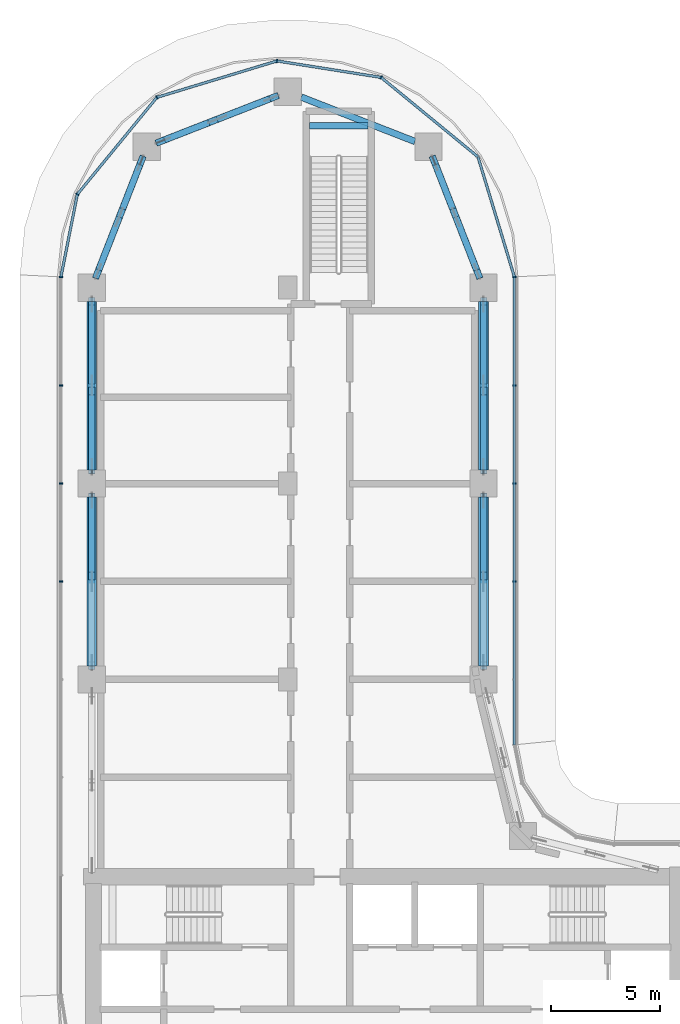
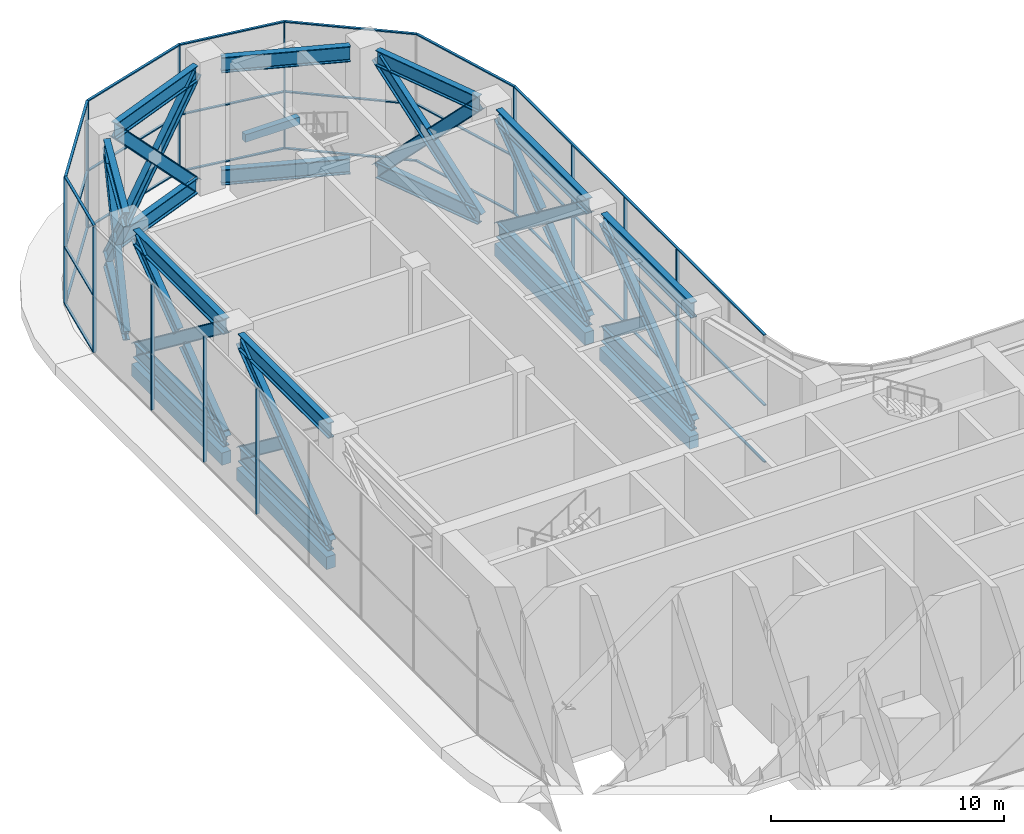
# One storey, part 10 of 35: 68 members, 5 beams, 3 elements without a shape of their own.
"""IFC4 building model written with IfcOpenShell, lengths in metres."""

import ifcopenshell
import ifcopenshell.guid

model = None  # the IFC model being written
_history = None  # IfcOwnerHistory: only IFC2X3 demands one
_inside = {}  # id of a spatial element -> (the spatial element, [elements in it])
_under = {}  # id of a project, library or spatial element -> (it, [spatial elements below it])
_declared = {}  # id of a project -> (the project, [libraries it declares])
_typed = {}  # id of a type object -> (the type object, [elements of that type])
_made_of = {}  # id of a material, layer set ... -> (it, [elements and type objects made of it])


def new_model(schema):
    """Start an empty IFC model of exactly this schema.

    Asked for "IFC4X3", IfcOpenShell would pick the latest addendum, in which some entities
    have other attributes; the version numbers below select the first issue.
    IFC2X3 requires an IfcOwnerHistory on every rooted entity: one is made here for all.
    """
    global model, _history
    if schema == "IFC4X3":
        model = ifcopenshell.file(schema_version=(4, 3, 0, 0))
    else:
        model = ifcopenshell.file(schema=schema)
    _inside.clear()
    _under.clear()
    _declared.clear()
    _typed.clear()
    _made_of.clear()
    _history = None
    if model.schema == "IFC2X3":
        org = make("IfcOrganization", Name="unknown")
        user = make(
            "IfcPersonAndOrganization",
            ThePerson=make("IfcPerson", FamilyName="unknown"),
            TheOrganization=org,
        )
        app = make(
            "IfcApplication",
            ApplicationDeveloper=org,
            Version="unknown",
            ApplicationFullName="unknown",
            ApplicationIdentifier="unknown",
        )
        _history = make(
            "IfcOwnerHistory",
            OwningUser=user,
            OwningApplication=app,
            ChangeAction="ADDED",
            CreationDate=0,
        )
    return model


def make(cls, **values):
    """One entity of the class cls with the attributes given. An attribute that is None is left unset."""
    return model.create_entity(
        cls, **{name: value for name, value in values.items() if value is not None}
    )


def rooted(cls, **values):
    """An entity with a GlobalId (a new one), such as an element, a storey or a relation."""
    return make(cls, GlobalId=ifcopenshell.guid.new(), OwnerHistory=_history, **values)


def si_unit(unit_type, name, prefix=None):
    """IfcSIUnit, for example si_unit("LENGTHUNIT", "METRE", prefix="MILLI")."""
    return make("IfcSIUnit", UnitType=unit_type, Prefix=prefix, Name=name)


def assignment(units):
    """IfcUnitAssignment: the units of a project."""
    return None if units is None else make("IfcUnitAssignment", Units=units)


def point(xyz):
    """IfcCartesianPoint."""
    return None if xyz is None else make("IfcCartesianPoint", Coordinates=xyz)


def direction(xyz):
    """IfcDirection."""
    return None if xyz is None else make("IfcDirection", DirectionRatios=xyz)


def frame(location, z_axis=None, x_axis=None):
    """IfcAxis2Placement3D, a coordinate frame: its origin and axes. An axis left out is left unset."""
    return make(
        "IfcAxis2Placement3D",
        Location=point(location),
        Axis=direction(z_axis),
        RefDirection=direction(x_axis),
    )


def frame_2d(location, x_axis=None):
    """IfcAxis2Placement2D, a coordinate frame in the plane: its origin and x axis."""
    return make(
        "IfcAxis2Placement2D", Location=point(location), RefDirection=direction(x_axis)
    )


def origin():
    """The frame at (0, 0, 0) with its axes left unset."""
    return frame((0.0, 0.0, 0.0))


def origin_2d():
    """The frame at (0, 0) in the plane with its x axis left unset."""
    return frame_2d((0.0, 0.0))


def place(relative_to, where):
    """IfcLocalPlacement: puts the frame where relative to a parent placement (None: the world)."""
    return make(
        "IfcLocalPlacement", PlacementRelTo=relative_to, RelativePlacement=where
    )


def context(
    kind, dimensions, precision=None, world=None, true_north=None, identifier=None
):
    """IfcGeometricRepresentationContext, for example the 3D "Model" context."""
    return make(
        "IfcGeometricRepresentationContext",
        ContextIdentifier=identifier,
        ContextType=kind,
        CoordinateSpaceDimension=dimensions,
        Precision=precision,
        WorldCoordinateSystem=world,
        TrueNorth=true_north,
    )


def subcontext(parent, identifier, kind, view, scale=None):
    """IfcGeometricRepresentationSubContext, for example "Body" below "Model"."""
    return make(
        "IfcGeometricRepresentationSubContext",
        ContextIdentifier=identifier,
        ContextType=kind,
        ParentContext=parent,
        TargetScale=scale,
        TargetView=view,
    )


def project(units=None, contexts=None):
    """IfcProject with its units and contexts."""
    return rooted(
        "IfcProject",
        Name="project",
        RepresentationContexts=contexts,
        UnitsInContext=assignment(units),
    )


def spatial(cls, under=None, at=None, **own):
    """A site, building, storey or space (cls), placed at a placement, below another one or the project."""
    s = rooted(cls, ObjectPlacement=at, **own)
    if under is not None:
        _under.setdefault(under.id(), (under, []))[1].append(s)
    return s


def profile(cls, at=None, kind="AREA", **sizes):
    """A parametric profile (cls). Its sizes go by their IFC names, for example OverallWidth=200.0."""
    return make(cls, ProfileType=kind, Position=at, **sizes)


def rectangle(**sizes):
    """IfcRectangleProfileDef."""
    return profile("IfcRectangleProfileDef", **sizes)


def i_section(**sizes):
    """IfcIShapeProfileDef."""
    return profile("IfcIShapeProfileDef", **sizes)


def extrude(swept, where, along, depth):
    """IfcExtrudedAreaSolid: the profile swept, set in the frame where, extruded along a direction by depth."""
    return make(
        "IfcExtrudedAreaSolid",
        SweptArea=swept,
        Position=where,
        ExtrudedDirection=direction(along),
        Depth=depth,
    )


def shape(context_of_items, identifier, shape_type, items):
    """IfcShapeRepresentation: the items that make up one representation, for example the "Body"."""
    return make(
        "IfcShapeRepresentation",
        ContextOfItems=context_of_items,
        RepresentationIdentifier=identifier,
        RepresentationType=shape_type,
        Items=items,
    )


def material(Name=None, Category=None):
    """IfcMaterial."""
    return make("IfcMaterial", Name=Name, Category=Category)


def material_profile(
    of_material, cross_section, Name=None, Category=None, Priority=None
):
    """IfcMaterialProfile: a cross section and its material."""
    return make(
        "IfcMaterialProfile",
        Name=Name,
        Material=of_material,
        Profile=cross_section,
        Priority=Priority,
        Category=Category,
    )


def profile_set(profiles, Name=None, composite=None):
    """IfcMaterialProfileSet."""
    return make(
        "IfcMaterialProfileSet",
        Name=Name,
        MaterialProfiles=profiles,
        CompositeProfile=composite,
    )


def made_of(thing, what):
    """Note that an element or type object is made of a material, layer set ...; save() writes the relation."""
    if what is not None:
        _made_of.setdefault(what.id(), (what, []))[1].append(thing)
    return thing


def type_object(cls, material=None, **own):
    """A type object (cls), such as IfcWallType, which elements share."""
    return made_of(rooted(cls, **own), material)


def element(
    cls,
    number,
    at=None,
    inside=None,
    cuts=None,
    type_object=None,
    material=None,
    context=None,
    identifier="Body",
    shape_type=None,
    held_by="IfcProductDefinitionShape",
    body=None,
    shapes=None,
    **own,
):
    """One element of the class cls, such as IfcWall. Its Tag is "e" and its number.

    at: its placement. inside: the storey or other place that contains it. cuts: it is an
    opening in that element (IfcRelVoidsElement). A single representation is given by context,
    identifier, shape_type and body (its items); several are given by shapes. held_by: the class
    of the entity that holds the representations. save() writes the other relations.
    """
    e = rooted(cls, Tag="e%d" % number, ObjectPlacement=at, **own)
    if body is not None:
        shapes = [shape(context, identifier, shape_type, body)]
    if shapes is not None:
        e.Representation = make(held_by, Representations=shapes)
    if inside is not None:
        _inside.setdefault(inside.id(), (inside, []))[1].append(e)
    if cuts is not None:
        rooted(
            "IfcRelVoidsElement", RelatingBuildingElement=cuts, RelatedOpeningElement=e
        )
    if type_object is not None:
        _typed.setdefault(type_object.id(), (type_object, []))[1].append(e)
    return made_of(e, material)


def aggregate(whole, parts):
    """IfcRelAggregates: a whole, such as a stair, and the parts it consists of."""
    return rooted("IfcRelAggregates", RelatingObject=whole, RelatedObjects=parts)


def save(model, path):
    """Write the relations noted so far, then the file.

    IfcRelAggregates (storeys below a building ...), IfcRelContainedInSpatialStructure (elements
    in a storey), IfcRelDefinesByType, IfcRelAssociatesMaterial and IfcRelDeclares: one each for
    every whole, place, type object, material and project.
    """
    for whole, parts in _under.values():
        aggregate(whole, parts)
    for where, things in _inside.values():
        rooted(
            "IfcRelContainedInSpatialStructure",
            RelatedElements=things,
            RelatingStructure=where,
        )
    for kind, things in _typed.values():
        rooted("IfcRelDefinesByType", RelatedObjects=things, RelatingType=kind)
    for what, things in _made_of.values():
        rooted("IfcRelAssociatesMaterial", RelatedObjects=things, RelatingMaterial=what)
    for by, libraries in _declared.values():
        rooted("IfcRelDeclares", RelatingContext=by, RelatedDefinitions=libraries)
    model.write(path)


model = new_model("IFC4")

# Units and contexts
model_context = context("Model", 3, precision=1e-05, world=origin(), true_north=direction((0.0, 1.0)))
body_context = subcontext(model_context, "Body", "Model", "MODEL_VIEW")
ifc_project = project(units=[si_unit("LENGTHUNIT", "METRE"), si_unit("AREAUNIT", "SQUARE_METRE"), si_unit("VOLUMEUNIT", "CUBIC_METRE"), si_unit("PLANEANGLEUNIT", "RADIAN"), si_unit("MASSUNIT", "GRAM", prefix="KILO")], contexts=[model_context])

# Site, building, storey
site_placement = place(None, origin())
site = spatial("IfcSite", under=ifc_project, at=site_placement, CompositionType="ELEMENT")
building_placement = place(site_placement, origin())
building = spatial("IfcBuilding", under=site, at=building_placement, Name="Ogive Portal Towers", CompositionType="ELEMENT")
storey_placement = place(building_placement, frame((0.0, 0.0, 135.199951171875)))
storey = spatial("IfcBuildingStorey", under=building, at=storey_placement, Name="L33", CompositionType="ELEMENT", Elevation=135.199951171875)

# Beam
ifc_material_1 = material(Name="Concrete C40/50", Category="concrete")
ifc_material_profile_1 = material_profile(ifc_material_1, rectangle(XDim=0.300048828125, YDim=0.39990234375, at=origin_2d()), Name="RC 300x400")
ifc_profile_set_1 = profile_set([ifc_material_profile_1], Name="Concrete C40/50")
beam_type_1 = type_object("IfcBeamType", Name="BEAM RC 300x400", PredefinedType="BEAM", material=ifc_profile_set_1)
beam_placement = place(storey_placement, frame((41.5, 73.949951171875, 3.10009765625), z_axis=(1.0, 0.0, 0.0), x_axis=(0.0, 1.0, 0.0)))
element("IfcBeam", 1, at=beam_placement, inside=storey, type_object=beam_type_1, Name="Landing beam L33", PredefinedType="BEAM", context=body_context, shape_type="SweptSolid", body=[
    extrude(rectangle(XDim=0.300048828125, YDim=0.39990234375, at=origin_2d()), origin(), (0.0, 0.0, 1.0), 2.699951171875),
])

# Members
ifc_material_2 = material(Name="Steel S355", Category="steel")
ifc_material_profile_2 = material_profile(ifc_material_2, i_section(OverallWidth=0.300048828125, OverallDepth=0.60009765625, WebThickness=0.015380859375, FlangeThickness=0.030029296875, FilletRadius=0.027099609375, at=origin_2d()), Name="HEB 600")
ifc_profile_set_2 = profile_set([ifc_material_profile_2], Name="Steel S355")
member_type_1 = type_object("IfcMemberType", Name="BRACE HEB 600", PredefinedType="BRACE", material=ifc_profile_set_2)
member_1_placement = place(storey_placement, frame((49.5, 49.125, 0.406982421875), z_axis=(0.0, 0.796360836966, 0.604821806276), x_axis=(-1.0, 0.0, 0.0)))
element("IfcMember", 2, at=member_1_placement, inside=storey, type_object=member_type_1, Name="Belt truss diagonal", PredefinedType="BRACE", context=body_context, shape_type="SweptSolid", body=[
    extrude(i_section(OverallWidth=0.300048828125, OverallDepth=0.60009765625, WebThickness=0.015380859375, FlangeThickness=0.030029296875, FilletRadius=0.027099609375, at=origin_2d()), origin(), (0.0, 0.0, 1.0), 9.731689453125),
])
member_2_placement = place(storey_placement, frame((49.5, 53.248046875, 3.16162109375), z_axis=(0.0, 0.796357381808, -0.60482635561), x_axis=(-1.0, 0.0, 0.0)))
element("IfcMember", 3, at=member_2_placement, inside=storey, type_object=member_type_1, Name="Belt truss diagonal", PredefinedType="BRACE", context=body_context, shape_type="SweptSolid", body=[
    extrude(i_section(OverallWidth=0.300048828125, OverallDepth=0.60009765625, WebThickness=0.015380859375, FlangeThickness=0.030029296875, FilletRadius=0.027099609375, at=origin_2d()), origin(), (0.0, 0.0, 1.0), 4.554443359375),
])
member_3_placement = place(storey_placement, frame((49.5, 58.125, 6.29296875), z_axis=(0.0, 0.796360836966, -0.604821806276), x_axis=(-1.0, 0.0, 0.0)))
element("IfcMember", 4, at=member_3_placement, inside=storey, type_object=member_type_1, Name="Belt truss diagonal", PredefinedType="BRACE", context=body_context, shape_type="SweptSolid", body=[
    extrude(i_section(OverallWidth=0.300048828125, OverallDepth=0.60009765625, WebThickness=0.015380859375, FlangeThickness=0.030029296875, FilletRadius=0.027099609375, at=origin_2d()), origin(), (0.0, 0.0, 1.0), 9.731689453125),
])
for number, where, z_axis, x_axis, name in (
    (5, (49.5, 58.125, 0.406982421875), (0.0, 0.796357381808, 0.60482635561), (-1.0, 0.0, 0.0), "Belt truss diagonal"),
    (6, (49.5, 62.248046875, 3.538330078125), (0.0, 0.796357381808, 0.60482635561), (-1.0, 0.0, 0.0), "Belt truss diagonal"),
):
    element("IfcMember", number, at=place(storey_placement, frame(where, z_axis=z_axis, x_axis=x_axis)), inside=storey, type_object=member_type_1, Name=name, PredefinedType="BRACE", context=body_context, shape_type="SweptSolid", body=[
        extrude(i_section(OverallWidth=0.300048828125, OverallDepth=0.60009765625, WebThickness=0.015380859375, FlangeThickness=0.030029296875, FilletRadius=0.027099609375, at=origin_2d()), origin(), (0.0, 0.0, 1.0), 4.554443359375),
    ])
member_4_placement = place(storey_placement, frame((49.256103515625, 67.125, 0.406982421875), z_axis=(-0.250836799301, 0.642498999934, 0.724069012733), x_axis=(-0.931525816436, -0.363675203051, 0.0)))
element("IfcMember", 7, at=member_4_placement, inside=storey, type_object=member_type_1, Name="Belt truss diagonal", PredefinedType="BRACE", context=body_context, shape_type="SweptSolid", body=[
    extrude(i_section(OverallWidth=0.300048828125, OverallDepth=0.60009765625, WebThickness=0.015380859375, FlangeThickness=0.030029296875, FilletRadius=0.027099609375, at=origin_2d()), origin(), (0.0, 0.0, 1.0), 8.129150390625),
])
for number, where, z_axis, x_axis, name in (
    (8, (49.256103515625, 67.125, 6.29296875), (-0.250881876962, 0.642511859665, -0.72404198359), (-0.931506141064, -0.363725595966, 0.0), "Belt truss diagonal"),
    (9, (48.1611328125, 69.929443359375, 3.132568359375), (-0.250809317914, 0.642492139451, -0.72408461991), (-0.931537998669, -0.363643997663, 0.0), "Belt truss diagonal"),
):
    element("IfcMember", number, at=place(storey_placement, frame(where, z_axis=z_axis, x_axis=x_axis)), inside=storey, type_object=member_type_1, Name=name, PredefinedType="BRACE", context=body_context, shape_type="SweptSolid", body=[
        extrude(i_section(OverallWidth=0.300048828125, OverallDepth=0.60009765625, WebThickness=0.015380859375, FlangeThickness=0.030029296875, FilletRadius=0.027099609375, at=origin_2d()), origin(), (0.0, 0.0, 1.0), 3.76416015625),
    ])
member_5_placement = place(storey_placement, frame((39.875, 75.256103515625, 0.406982421875), z_axis=(-0.642498999934, -0.250836799301, 0.724069012733), x_axis=(0.363675203051, -0.931525816436, 0.0)))
element("IfcMember", 10, at=member_5_placement, inside=storey, type_object=member_type_1, Name="Belt truss diagonal", PredefinedType="BRACE", context=body_context, shape_type="SweptSolid", body=[
    extrude(i_section(OverallWidth=0.300048828125, OverallDepth=0.60009765625, WebThickness=0.015380859375, FlangeThickness=0.030029296875, FilletRadius=0.027099609375, at=origin_2d()), origin(), (0.0, 0.0, 1.0), 8.129150390625),
])
for number, where, z_axis, x_axis, name in (
    (11, (39.875, 75.256103515625, 6.29296875), (-0.642511859665, -0.250881876962, -0.72404198359), (0.363725595966, -0.931506141064, 0.0), "Belt truss diagonal"),
    (12, (37.070556640625, 74.1611328125, 3.132568359375), (-0.642492139451, -0.250809317914, -0.72408461991), (0.363643997663, -0.931537998669, 0.0), "Belt truss diagonal"),
):
    element("IfcMember", number, at=place(storey_placement, frame(where, z_axis=z_axis, x_axis=x_axis)), inside=storey, type_object=member_type_1, Name=name, PredefinedType="BRACE", context=body_context, shape_type="SweptSolid", body=[
        extrude(i_section(OverallWidth=0.300048828125, OverallDepth=0.60009765625, WebThickness=0.015380859375, FlangeThickness=0.030029296875, FilletRadius=0.027099609375, at=origin_2d()), origin(), (0.0, 0.0, 1.0), 3.76416015625),
    ])
member_6_placement = place(storey_placement, frame((33.782958984375, 72.347900390625, 6.29296875), z_axis=(-0.250836799301, -0.642498999934, -0.724069012733), x_axis=(0.931525816436, -0.363675203051, 0.0)))
element("IfcMember", 13, at=member_6_placement, inside=storey, type_object=member_type_1, Name="Belt truss diagonal", PredefinedType="BRACE", context=body_context, shape_type="SweptSolid", body=[
    extrude(i_section(OverallWidth=0.300048828125, OverallDepth=0.60009765625, WebThickness=0.015380859375, FlangeThickness=0.030029296875, FilletRadius=0.027099609375, at=origin_2d()), origin(), (0.0, 0.0, 1.0), 8.129150390625),
])
for number, where, z_axis, x_axis, name in (
    (14, (33.782958984375, 72.347900390625, 0.406982421875), (-0.250809317914, -0.642492139451, 0.72408461991), (0.931537998669, -0.363643997663, 0.0), "Belt truss diagonal"),
    (15, (32.688232421875, 69.54345703125, 3.567626953125), (-0.250881876962, -0.642511859665, 0.72404198359), (0.931506141064, -0.363725595966, 0.0), "Belt truss diagonal"),
):
    element("IfcMember", number, at=place(storey_placement, frame(where, z_axis=z_axis, x_axis=x_axis)), inside=storey, type_object=member_type_1, Name=name, PredefinedType="BRACE", context=body_context, shape_type="SweptSolid", body=[
        extrude(i_section(OverallWidth=0.300048828125, OverallDepth=0.60009765625, WebThickness=0.015380859375, FlangeThickness=0.030029296875, FilletRadius=0.027099609375, at=origin_2d()), origin(), (0.0, 0.0, 1.0), 3.76416015625),
    ])
member_7_placement = place(storey_placement, frame((31.5, 65.875, 0.406982421875), z_axis=(0.0, -0.796360836966, 0.604821806276), x_axis=(1.0, 0.0, 0.0)))
element("IfcMember", 16, at=member_7_placement, inside=storey, type_object=member_type_1, Name="Belt truss diagonal", PredefinedType="BRACE", context=body_context, shape_type="SweptSolid", body=[
    extrude(i_section(OverallWidth=0.300048828125, OverallDepth=0.60009765625, WebThickness=0.015380859375, FlangeThickness=0.030029296875, FilletRadius=0.027099609375, at=origin_2d()), origin(), (0.0, 0.0, 1.0), 9.731689453125),
])
for number, where, z_axis, x_axis, name in (
    (17, (31.5, 65.875, 6.29296875), (0.0, -0.796357381808, -0.60482635561), (1.0, 0.0, 0.0), "Belt truss diagonal"),
    (18, (31.5, 61.751953125, 3.16162109375), (0.0, -0.796357381808, -0.60482635561), (1.0, 0.0, 0.0), "Belt truss diagonal"),
):
    element("IfcMember", number, at=place(storey_placement, frame(where, z_axis=z_axis, x_axis=x_axis)), inside=storey, type_object=member_type_1, Name=name, PredefinedType="BRACE", context=body_context, shape_type="SweptSolid", body=[
        extrude(i_section(OverallWidth=0.300048828125, OverallDepth=0.60009765625, WebThickness=0.015380859375, FlangeThickness=0.030029296875, FilletRadius=0.027099609375, at=origin_2d()), origin(), (0.0, 0.0, 1.0), 4.554443359375),
    ])
member_8_placement = place(storey_placement, frame((31.5, 56.875, 6.29296875), z_axis=(0.0, -0.796360836966, -0.604821806276), x_axis=(1.0, 0.0, 0.0)))
element("IfcMember", 19, at=member_8_placement, inside=storey, type_object=member_type_1, Name="Belt truss diagonal", PredefinedType="BRACE", context=body_context, shape_type="SweptSolid", body=[
    extrude(i_section(OverallWidth=0.300048828125, OverallDepth=0.60009765625, WebThickness=0.015380859375, FlangeThickness=0.030029296875, FilletRadius=0.027099609375, at=origin_2d()), origin(), (0.0, 0.0, 1.0), 9.731689453125),
])
member_9_placement = place(storey_placement, frame((31.5, 56.875, 0.406982421875), z_axis=(0.0, -0.796357381808, 0.60482635561), x_axis=(1.0, 0.0, 0.0)))
element("IfcMember", 20, at=member_9_placement, inside=storey, type_object=member_type_1, Name="Belt truss diagonal", PredefinedType="BRACE", context=body_context, shape_type="SweptSolid", body=[
    extrude(i_section(OverallWidth=0.300048828125, OverallDepth=0.60009765625, WebThickness=0.015380859375, FlangeThickness=0.030029296875, FilletRadius=0.027099609375, at=origin_2d()), origin(), (0.0, 0.0, 1.0), 4.554443359375),
])
ifc_material_profile_3 = material_profile(ifc_material_2, i_section(OverallWidth=0.302978515625, OverallDepth=0.81396484375, WebThickness=0.02099609375, FlangeThickness=0.0400390625, FilletRadius=0.030029296875, at=origin_2d()), Name="HEM 800")
ifc_profile_set_3 = profile_set([ifc_material_profile_3], Name="Steel S355")
member_type_2 = type_object("IfcMemberType", Name="CHORD HEM 800", PredefinedType="CHORD", material=ifc_profile_set_3)
for number, where, z_axis, x_axis, name in (
    (21, (49.5, 49.125, 0.406982421875), (0.0, 1.0, 0.0), (-1.0, 0.0, 0.0), "Belt truss bottom chord"),
    (22, (49.5, 49.125, 6.29296875), (0.0, 1.0, 0.0), (-1.0, 0.0, 0.0), "Belt truss top chord"),
    (23, (49.5, 58.125, 0.406982421875), (0.0, 1.0, 0.0), (-1.0, 0.0, 0.0), "Belt truss bottom chord"),
    (24, (49.5, 58.125, 6.29296875), (0.0, 1.0, 0.0), (-1.0, 0.0, 0.0), "Belt truss top chord"),
):
    element("IfcMember", number, at=place(storey_placement, frame(where, z_axis=z_axis, x_axis=x_axis)), inside=storey, type_object=member_type_2, Name=name, PredefinedType="CHORD", context=body_context, shape_type="SweptSolid", body=[
        extrude(i_section(OverallWidth=0.302978515625, OverallDepth=0.81396484375, WebThickness=0.02099609375, FlangeThickness=0.0400390625, FilletRadius=0.030029296875, at=origin_2d()), origin(), (0.0, 0.0, 1.0), 7.75),
    ])
for number, where, z_axis, x_axis, name in (
    (25, (49.256103515625, 67.125, 0.406982421875), (-0.363675203051, 0.931525816436, 0.0), (-0.931525816436, -0.363675203051, 0.0), "Belt truss bottom chord"),
    (26, (49.256103515625, 67.125, 6.29296875), (-0.363675203051, 0.931525816436, 0.0), (-0.931525816436, -0.363675203051, 0.0), "Belt truss top chord"),
    (27, (46.347900390625, 73.217041015625, 0.406982421875), (-0.931525816436, 0.363675203051, 0.0), (-0.363675203051, -0.931525816436, 0.0), "Belt truss bottom chord"),
    (28, (46.347900390625, 73.217041015625, 6.29296875), (-0.931525816436, 0.363675203051, 0.0), (-0.363675203051, -0.931525816436, 0.0), "Belt truss top chord"),
    (29, (39.875, 75.256103515625, 0.406982421875), (-0.931525816436, -0.363675203051, 0.0), (0.363675203051, -0.931525816436, 0.0), "Belt truss bottom chord"),
    (30, (39.875, 75.256103515625, 6.29296875), (-0.931525816436, -0.363675203051, 0.0), (0.363675203051, -0.931525816436, 0.0), "Belt truss top chord"),
    (31, (33.782958984375, 72.347900390625, 0.406982421875), (-0.363675203051, -0.931525816436, 0.0), (0.931525816436, -0.363675203051, 0.0), "Belt truss bottom chord"),
    (32, (33.782958984375, 72.347900390625, 6.29296875), (-0.363675203051, -0.931525816436, 0.0), (0.931525816436, -0.363675203051, 0.0), "Belt truss top chord"),
):
    element("IfcMember", number, at=place(storey_placement, frame(where, z_axis=z_axis, x_axis=x_axis)), inside=storey, type_object=member_type_2, Name=name, PredefinedType="CHORD", context=body_context, shape_type="SweptSolid", body=[
        extrude(i_section(OverallWidth=0.302978515625, OverallDepth=0.81396484375, WebThickness=0.02099609375, FlangeThickness=0.0400390625, FilletRadius=0.030029296875, at=origin_2d()), origin(), (0.0, 0.0, 1.0), 5.60693359375),
    ])
for number, where, z_axis, x_axis, name in (
    (33, (31.5, 65.875, 0.406982421875), (0.0, -1.0, 0.0), (1.0, 0.0, 0.0), "Belt truss bottom chord"),
    (34, (31.5, 65.875, 6.29296875), (0.0, -1.0, 0.0), (1.0, 0.0, 0.0), "Belt truss top chord"),
    (35, (31.5, 56.875, 0.406982421875), (0.0, -1.0, 0.0), (1.0, 0.0, 0.0), "Belt truss bottom chord"),
    (36, (31.5, 56.875, 6.29296875), (0.0, -1.0, 0.0), (1.0, 0.0, 0.0), "Belt truss top chord"),
):
    element("IfcMember", number, at=place(storey_placement, frame(where, z_axis=z_axis, x_axis=x_axis)), inside=storey, type_object=member_type_2, Name=name, PredefinedType="CHORD", context=body_context, shape_type="SweptSolid", body=[
        extrude(i_section(OverallWidth=0.302978515625, OverallDepth=0.81396484375, WebThickness=0.02099609375, FlangeThickness=0.0400390625, FilletRadius=0.030029296875, at=origin_2d()), origin(), (0.0, 0.0, 1.0), 7.75),
    ])

# Curtain wall, members
ifc_material_3 = material(Name="Glass, clear low-iron insulated glazing", Category="glass")
curtain_wall_type = type_object("IfcCurtainWallType", Name="CW OBSERVATION WALL", PredefinedType="NOTDEFINED", material=ifc_material_3)
curtain_wall_1_placement = place(storey_placement, origin())
curtain_wall_1 = element("IfcCurtainWall", 37, at=curtain_wall_1_placement, inside=storey, type_object=curtain_wall_type, Name="A:L33:f17:cw0", PredefinedType="NOTDEFINED")
ifc_material_4 = material(Name="Aluminium 6063 anodised", Category="aluminium")
ifc_material_profile_4 = material_profile(ifc_material_4, rectangle(XDim=0.159912109375, YDim=0.06005859375, at=origin_2d()), Name="AL 60x160")
ifc_profile_set_4 = profile_set([ifc_material_profile_4], Name="Aluminium 6063 anodised")
member_type_3 = type_object("IfcMemberType", Name="CW MULLION 60x160", PredefinedType="MULLION", material=ifc_profile_set_4)
member_10_placement = place(storey_placement, frame((50.919921875, 53.0, 0.06005859375), z_axis=(0.0, 0.0, 1.0), x_axis=(-1.0, 0.0, 0.0)))
member_10 = element("IfcMember", 38, at=member_10_placement, type_object=member_type_3, Name="mullion", PredefinedType="MULLION", context=body_context, shape_type="SweptSolid", body=[
    extrude(rectangle(XDim=0.159912109375, YDim=0.06005859375, at=origin_2d()), origin(), (0.0, 0.0, 1.0), 6.580078125),
])
member_11_placement = place(storey_placement, frame((50.919921875, 57.5, 0.06005859375), z_axis=(0.0, 0.0, 1.0), x_axis=(-1.0, 0.0, 0.0)))
member_11 = element("IfcMember", 39, at=member_11_placement, type_object=member_type_3, Name="mullion", PredefinedType="MULLION", context=body_context, shape_type="SweptSolid", body=[
    extrude(rectangle(XDim=0.159912109375, YDim=0.06005859375, at=origin_2d()), origin(), (0.0, 0.0, 1.0), 6.580078125),
])
member_12_placement = place(storey_placement, frame((50.919921875, 62.0, 0.06005859375), z_axis=(0.0, 0.0, 1.0), x_axis=(-1.0, 0.0, 0.0)))
member_12 = element("IfcMember", 40, at=member_12_placement, type_object=member_type_3, Name="mullion", PredefinedType="MULLION", context=body_context, shape_type="SweptSolid", body=[
    extrude(rectangle(XDim=0.159912109375, YDim=0.06005859375, at=origin_2d()), origin(), (0.0, 0.0, 1.0), 6.580078125),
])
member_13_placement = place(storey_placement, frame((50.919921875, 66.988037109375, 0.06005859375), z_axis=(0.0, 0.0, 1.0), x_axis=(-1.0, 0.0, 0.0)))
member_13 = element("IfcMember", 41, at=member_13_placement, type_object=member_type_3, Name="mullion", PredefinedType="MULLION", context=body_context, shape_type="SweptSolid", body=[
    extrude(rectangle(XDim=0.159912109375, YDim=0.06005859375, at=origin_2d()), origin(), (0.0, 0.0, 1.0), 6.580078125),
])

curtain_wall_2_placement = place(storey_placement, origin())
curtain_wall_2 = element("IfcCurtainWall", 42, at=curtain_wall_2_placement, inside=storey, type_object=curtain_wall_type, Name="A:L33:f24:cw0", PredefinedType="NOTDEFINED")
member_14_placement = place(storey_placement, frame((30.080078125, 66.9921875, 0.06005859375), z_axis=(0.0, 0.0, 1.0), x_axis=(1.0, 0.0, 0.0)))
member_14 = element("IfcMember", 43, at=member_14_placement, type_object=member_type_3, Name="mullion", PredefinedType="MULLION", context=body_context, shape_type="SweptSolid", body=[
    extrude(rectangle(XDim=0.159912109375, YDim=0.06005859375, at=origin_2d()), origin(), (0.0, 0.0, 1.0), 6.580078125),
])
member_15_placement = place(storey_placement, frame((30.080078125, 62.0, 0.06005859375), z_axis=(0.0, 0.0, 1.0), x_axis=(1.0, 0.0, 0.0)))
member_15 = element("IfcMember", 44, at=member_15_placement, type_object=member_type_3, Name="mullion", PredefinedType="MULLION", context=body_context, shape_type="SweptSolid", body=[
    extrude(rectangle(XDim=0.159912109375, YDim=0.06005859375, at=origin_2d()), origin(), (0.0, 0.0, 1.0), 6.580078125),
])
member_16_placement = place(storey_placement, frame((30.080078125, 57.5, 0.06005859375), z_axis=(0.0, 0.0, 1.0), x_axis=(1.0, 0.0, 0.0)))
member_16 = element("IfcMember", 45, at=member_16_placement, type_object=member_type_3, Name="mullion", PredefinedType="MULLION", context=body_context, shape_type="SweptSolid", body=[
    extrude(rectangle(XDim=0.159912109375, YDim=0.06005859375, at=origin_2d()), origin(), (0.0, 0.0, 1.0), 6.580078125),
])
member_17_placement = place(storey_placement, frame((30.080078125, 53.0, 0.06005859375), z_axis=(0.0, 0.0, 1.0), x_axis=(1.0, 0.0, 0.0)))
member_17 = element("IfcMember", 46, at=member_17_placement, type_object=member_type_3, Name="mullion", PredefinedType="MULLION", context=body_context, shape_type="SweptSolid", body=[
    extrude(rectangle(XDim=0.159912109375, YDim=0.06005859375, at=origin_2d()), origin(), (0.0, 0.0, 1.0), 6.580078125),
])
aggregate(curtain_wall_2, [member_14, member_15, member_16, member_17])

curtain_wall_3_placement = place(storey_placement, origin())
curtain_wall_3 = element("IfcCurtainWall", 47, at=curtain_wall_3_placement, inside=storey, type_object=curtain_wall_type, Name="A:L33:f18:cwa", PredefinedType="NOTDEFINED")
member_18_placement = place(storey_placement, frame((44.79296875, 76.1630859375, 0.06005859375), z_axis=(0.0, 0.0, 1.0), x_axis=(-0.634393284164, -0.773010453363, 0.0)))
member_18 = element("IfcMember", 48, at=member_18_placement, type_object=member_type_3, Name="mullion", PredefinedType="MULLION", context=body_context, shape_type="SweptSolid", body=[
    extrude(rectangle(XDim=0.159912109375, YDim=0.06005859375, at=origin_2d()), origin(), (0.0, 0.0, 1.0), 6.580078125),
])
member_19_placement = place(storey_placement, frame((40.005615234375, 76.918212890625, 0.06005859375), z_axis=(0.0, 0.0, 1.0), x_axis=(-0.155777466355, -0.987792174992, 0.0)))
member_19 = element("IfcMember", 49, at=member_19_placement, type_object=member_type_3, Name="mullion", PredefinedType="MULLION", context=body_context, shape_type="SweptSolid", body=[
    extrude(rectangle(XDim=0.159912109375, YDim=0.06005859375, at=origin_2d()), origin(), (0.0, 0.0, 1.0), 6.580078125),
])
member_20_placement = place(storey_placement, frame((34.49072265625, 75.2451171875, 0.06005859375), z_axis=(0.0, 0.0, 1.0), x_axis=(0.290284677254, -0.956940335732, 0.0)))
member_20 = element("IfcMember", 50, at=member_20_placement, type_object=member_type_3, Name="mullion", PredefinedType="MULLION", context=body_context, shape_type="SweptSolid", body=[
    extrude(rectangle(XDim=0.159912109375, YDim=0.06005859375, at=origin_2d()), origin(), (0.0, 0.0, 1.0), 6.580078125),
])
member_21_placement = place(storey_placement, frame((30.835693359375, 70.79150390625, 0.06005859375), z_axis=(0.0, 0.0, 1.0), x_axis=(0.773010453363, -0.634393284164, 0.0)))
member_21 = element("IfcMember", 51, at=member_21_placement, type_object=member_type_3, Name="mullion", PredefinedType="MULLION", context=body_context, shape_type="SweptSolid", body=[
    extrude(rectangle(XDim=0.159912109375, YDim=0.06005859375, at=origin_2d()), origin(), (0.0, 0.0, 1.0), 6.580078125),
])

# Member
ifc_material_profile_5 = material_profile(ifc_material_4, rectangle(XDim=0.1201171875, YDim=0.06005859375, at=origin_2d()), Name="AL 120x60")
ifc_profile_set_5 = profile_set([ifc_material_profile_5], Name="Aluminium 6063 anodised")
member_type_4 = type_object("IfcMemberType", Name="CW TRANSOM 60x120", PredefinedType="USERDEFINED", material=ifc_profile_set_5)
member_22_placement = place(storey_placement, frame((50.919921875, 45.4921875, 0.030029296875), z_axis=(0.0, 1.0, 0.0), x_axis=(-1.0, 0.0, 0.0)))
member_22 = element("IfcMember", 52, at=member_22_placement, type_object=member_type_4, Name="transom", ObjectType="TRANSOM", PredefinedType="USERDEFINED", context=body_context, shape_type="SweptSolid", body=[
    extrude(rectangle(XDim=0.1201171875, YDim=0.06005859375, at=origin_2d()), origin(), (0.0, 0.0, 1.0), 21.495849609375),
])

member_23_placement = place(storey_placement, frame((50.919921875, 45.4921875, 3.0), z_axis=(0.0, 1.0, 0.0), x_axis=(-1.0, 0.0, 0.0)))
member_23 = element("IfcMember", 53, at=member_23_placement, type_object=member_type_4, Name="transom", ObjectType="TRANSOM", PredefinedType="USERDEFINED", context=body_context, shape_type="SweptSolid", body=[
    extrude(rectangle(XDim=0.1201171875, YDim=0.06005859375, at=origin_2d()), origin(), (0.0, 0.0, 1.0), 21.495849609375),
])

member_24_placement = place(storey_placement, frame((50.919921875, 45.4921875, 6.670166015625), z_axis=(0.0, 1.0, 0.0), x_axis=(-1.0, 0.0, 0.0)))
member_24 = element("IfcMember", 54, at=member_24_placement, type_object=member_type_4, Name="transom", ObjectType="TRANSOM", PredefinedType="USERDEFINED", context=body_context, shape_type="SweptSolid", body=[
    extrude(rectangle(XDim=0.1201171875, YDim=0.06005859375, at=origin_2d()), origin(), (0.0, 0.0, 1.0), 21.495849609375),
])

aggregate(curtain_wall_1, [member_22, member_23, member_24, member_10, member_11, member_12, member_13])

member_25_placement = place(storey_placement, frame((50.919921875, 66.988037109375, 0.030029296875), z_axis=(-0.290277499028, 0.956942513194, 0.0), x_axis=(-0.956942513194, -0.290277499028, 0.0)))
member_25 = element("IfcMember", 55, at=member_25_placement, type_object=member_type_4, Name="transom", ObjectType="TRANSOM", PredefinedType="USERDEFINED", context=body_context, shape_type="SweptSolid", body=[
    extrude(rectangle(XDim=0.1201171875, YDim=0.06005859375, at=origin_2d()), origin(), (0.0, 0.0, 1.0), 5.769775390625),
])

member_26_placement = place(storey_placement, frame((50.919921875, 66.988037109375, 3.0), z_axis=(-0.290277499028, 0.956942513194, 0.0), x_axis=(-0.956942513194, -0.290277499028, 0.0)))
member_26 = element("IfcMember", 56, at=member_26_placement, type_object=member_type_4, Name="transom", ObjectType="TRANSOM", PredefinedType="USERDEFINED", context=body_context, shape_type="SweptSolid", body=[
    extrude(rectangle(XDim=0.1201171875, YDim=0.06005859375, at=origin_2d()), origin(), (0.0, 0.0, 1.0), 5.769775390625),
])

member_27_placement = place(storey_placement, frame((50.919921875, 66.988037109375, 6.670166015625), z_axis=(-0.290277499028, 0.956942513194, 0.0), x_axis=(-0.956942513194, -0.290277499028, 0.0)))
member_27 = element("IfcMember", 57, at=member_27_placement, type_object=member_type_4, Name="transom", ObjectType="TRANSOM", PredefinedType="USERDEFINED", context=body_context, shape_type="SweptSolid", body=[
    extrude(rectangle(XDim=0.1201171875, YDim=0.06005859375, at=origin_2d()), origin(), (0.0, 0.0, 1.0), 5.769775390625),
])

member_28_placement = place(storey_placement, frame((49.2451171875, 72.50927734375, 0.030029296875), z_axis=(-0.773008341981, 0.634395856881, 0.0), x_axis=(-0.634395856881, -0.773008341981, 0.0)))
member_28 = element("IfcMember", 58, at=member_28_placement, type_object=member_type_4, Name="transom", ObjectType="TRANSOM", PredefinedType="USERDEFINED", context=body_context, shape_type="SweptSolid", body=[
    extrude(rectangle(XDim=0.1201171875, YDim=0.06005859375, at=origin_2d()), origin(), (0.0, 0.0, 1.0), 5.759521484375),
])

member_29_placement = place(storey_placement, frame((49.2451171875, 72.50927734375, 3.0), z_axis=(-0.773008341981, 0.634395856881, 0.0), x_axis=(-0.634395856881, -0.773008341981, 0.0)))
member_29 = element("IfcMember", 59, at=member_29_placement, type_object=member_type_4, Name="transom", ObjectType="TRANSOM", PredefinedType="USERDEFINED", context=body_context, shape_type="SweptSolid", body=[
    extrude(rectangle(XDim=0.1201171875, YDim=0.06005859375, at=origin_2d()), origin(), (0.0, 0.0, 1.0), 5.759521484375),
])

member_30_placement = place(storey_placement, frame((49.2451171875, 72.50927734375, 6.670166015625), z_axis=(-0.773008341981, 0.634395856881, 0.0), x_axis=(-0.634395856881, -0.773008341981, 0.0)))
member_30 = element("IfcMember", 60, at=member_30_placement, type_object=member_type_4, Name="transom", ObjectType="TRANSOM", PredefinedType="USERDEFINED", context=body_context, shape_type="SweptSolid", body=[
    extrude(rectangle(XDim=0.1201171875, YDim=0.06005859375, at=origin_2d()), origin(), (0.0, 0.0, 1.0), 5.759521484375),
])

member_31_placement = place(storey_placement, frame((44.79296875, 76.1630859375, 0.030029296875), z_axis=(-0.987787459497, 0.155807364589, 0.0), x_axis=(-0.155807364589, -0.987787459497, 0.0)))
member_31 = element("IfcMember", 61, at=member_31_placement, type_object=member_type_4, Name="transom", ObjectType="TRANSOM", PredefinedType="USERDEFINED", context=body_context, shape_type="SweptSolid", body=[
    extrude(rectangle(XDim=0.1201171875, YDim=0.06005859375, at=origin_2d()), origin(), (0.0, 0.0, 1.0), 4.846435546875),
])

member_32_placement = place(storey_placement, frame((44.79296875, 76.1630859375, 3.0), z_axis=(-0.987787459497, 0.155807364589, 0.0), x_axis=(-0.155807364589, -0.987787459497, 0.0)))
member_32 = element("IfcMember", 62, at=member_32_placement, type_object=member_type_4, Name="transom", ObjectType="TRANSOM", PredefinedType="USERDEFINED", context=body_context, shape_type="SweptSolid", body=[
    extrude(rectangle(XDim=0.1201171875, YDim=0.06005859375, at=origin_2d()), origin(), (0.0, 0.0, 1.0), 4.846435546875),
])

member_33_placement = place(storey_placement, frame((44.79296875, 76.1630859375, 6.670166015625), z_axis=(-0.987787459497, 0.155807364589, 0.0), x_axis=(-0.155807364589, -0.987787459497, 0.0)))
member_33 = element("IfcMember", 63, at=member_33_placement, type_object=member_type_4, Name="transom", ObjectType="TRANSOM", PredefinedType="USERDEFINED", context=body_context, shape_type="SweptSolid", body=[
    extrude(rectangle(XDim=0.1201171875, YDim=0.06005859375, at=origin_2d()), origin(), (0.0, 0.0, 1.0), 4.846435546875),
])

member_34_placement = place(storey_placement, frame((40.005615234375, 76.918212890625, 0.030029296875), z_axis=(-0.956932077168, -0.290311900697, 0.0), x_axis=(0.290311900697, -0.956932077168, 0.0)))
member_34 = element("IfcMember", 64, at=member_34_placement, type_object=member_type_4, Name="transom", ObjectType="TRANSOM", PredefinedType="USERDEFINED", context=body_context, shape_type="SweptSolid", body=[
    extrude(rectangle(XDim=0.1201171875, YDim=0.06005859375, at=origin_2d()), origin(), (0.0, 0.0, 1.0), 5.76318359375),
])

member_35_placement = place(storey_placement, frame((40.005615234375, 76.918212890625, 3.0), z_axis=(-0.956932077168, -0.290311900697, 0.0), x_axis=(0.290311900697, -0.956932077168, 0.0)))
member_35 = element("IfcMember", 65, at=member_35_placement, type_object=member_type_4, Name="transom", ObjectType="TRANSOM", PredefinedType="USERDEFINED", context=body_context, shape_type="SweptSolid", body=[
    extrude(rectangle(XDim=0.1201171875, YDim=0.06005859375, at=origin_2d()), origin(), (0.0, 0.0, 1.0), 5.76318359375),
])

member_36_placement = place(storey_placement, frame((40.005615234375, 76.918212890625, 6.670166015625), z_axis=(-0.956932077168, -0.290311900697, 0.0), x_axis=(0.290311900697, -0.956932077168, 0.0)))
member_36 = element("IfcMember", 66, at=member_36_placement, type_object=member_type_4, Name="transom", ObjectType="TRANSOM", PredefinedType="USERDEFINED", context=body_context, shape_type="SweptSolid", body=[
    extrude(rectangle(XDim=0.1201171875, YDim=0.06005859375, at=origin_2d()), origin(), (0.0, 0.0, 1.0), 5.76318359375),
])

member_37_placement = place(storey_placement, frame((34.49072265625, 75.2451171875, 0.030029296875), z_axis=(-0.63439777858, -0.773006764869, 0.0), x_axis=(0.773006764869, -0.63439777858, 0.0)))
member_37 = element("IfcMember", 67, at=member_37_placement, type_object=member_type_4, Name="transom", ObjectType="TRANSOM", PredefinedType="USERDEFINED", context=body_context, shape_type="SweptSolid", body=[
    extrude(rectangle(XDim=0.1201171875, YDim=0.06005859375, at=origin_2d()), origin(), (0.0, 0.0, 1.0), 5.761474609375),
])

member_38_placement = place(storey_placement, frame((34.49072265625, 75.2451171875, 3.0), z_axis=(-0.63439777858, -0.773006764869, 0.0), x_axis=(0.773006764869, -0.63439777858, 0.0)))
member_38 = element("IfcMember", 68, at=member_38_placement, type_object=member_type_4, Name="transom", ObjectType="TRANSOM", PredefinedType="USERDEFINED", context=body_context, shape_type="SweptSolid", body=[
    extrude(rectangle(XDim=0.1201171875, YDim=0.06005859375, at=origin_2d()), origin(), (0.0, 0.0, 1.0), 5.761474609375),
])

member_39_placement = place(storey_placement, frame((34.49072265625, 75.2451171875, 6.670166015625), z_axis=(-0.63439777858, -0.773006764869, 0.0), x_axis=(0.773006764869, -0.63439777858, 0.0)))
member_39 = element("IfcMember", 69, at=member_39_placement, type_object=member_type_4, Name="transom", ObjectType="TRANSOM", PredefinedType="USERDEFINED", context=body_context, shape_type="SweptSolid", body=[
    extrude(rectangle(XDim=0.1201171875, YDim=0.06005859375, at=origin_2d()), origin(), (0.0, 0.0, 1.0), 5.761474609375),
])

member_40_placement = place(storey_placement, frame((30.835693359375, 70.79150390625, 0.030029296875), z_axis=(-0.195061569373, -0.980790999221, 0.0), x_axis=(0.980790999221, -0.195061569373, 0.0)))
member_40 = element("IfcMember", 70, at=member_40_placement, type_object=member_type_4, Name="transom", ObjectType="TRANSOM", PredefinedType="USERDEFINED", context=body_context, shape_type="SweptSolid", body=[
    extrude(rectangle(XDim=0.1201171875, YDim=0.06005859375, at=origin_2d()), origin(), (0.0, 0.0, 1.0), 3.873779296875),
])

member_41_placement = place(storey_placement, frame((30.835693359375, 70.79150390625, 3.0), z_axis=(-0.195061569373, -0.980790999221, 0.0), x_axis=(0.980790999221, -0.195061569373, 0.0)))
member_41 = element("IfcMember", 71, at=member_41_placement, type_object=member_type_4, Name="transom", ObjectType="TRANSOM", PredefinedType="USERDEFINED", context=body_context, shape_type="SweptSolid", body=[
    extrude(rectangle(XDim=0.1201171875, YDim=0.06005859375, at=origin_2d()), origin(), (0.0, 0.0, 1.0), 3.873779296875),
])

member_42_placement = place(storey_placement, frame((30.835693359375, 70.79150390625, 6.670166015625), z_axis=(-0.195061569373, -0.980790999221, 0.0), x_axis=(0.980790999221, -0.195061569373, 0.0)))
member_42 = element("IfcMember", 72, at=member_42_placement, type_object=member_type_4, Name="transom", ObjectType="TRANSOM", PredefinedType="USERDEFINED", context=body_context, shape_type="SweptSolid", body=[
    extrude(rectangle(XDim=0.1201171875, YDim=0.06005859375, at=origin_2d()), origin(), (0.0, 0.0, 1.0), 3.873779296875),
])

aggregate(curtain_wall_3, [member_25, member_26, member_27, member_28, member_29, member_30, member_31, member_32, member_33, member_34, member_35, member_36, member_37, member_38, member_39, member_40, member_41, member_42, member_18, member_19, member_20, member_21])

# Beams
ifc_material_5 = material(Name="Concrete C50/60", Category="concrete")
ifc_material_profile_6 = material_profile(ifc_material_5, rectangle(XDim=0.449951171875, YDim=0.64990234375, at=origin_2d()), Name="RC 450x650")
ifc_profile_set_6 = profile_set([ifc_material_profile_6], Name="Concrete C50/60")
beam_type_2 = type_object("IfcBeamType", Name="SPANDREL BEAM RC 450x650", PredefinedType="BEAM", material=ifc_profile_set_6)
for number, where, z_axis, x_axis, name in (
    (73, (31.5, 49.125, -0.625), (0.0, 1.0, 0.0), (-1.0, 0.0, 0.0), "Spandrel beam L33"),
    (74, (31.5, 58.125, -0.625), (0.0, 1.0, 0.0), (-1.0, 0.0, 0.0), "Spandrel beam L33"),
    (75, (49.5, 65.875, -0.625), (0.0, -1.0, 0.0), (1.0, 0.0, 0.0), "Spandrel beam L33"),
    (76, (49.5, 56.875, -0.625), (0.0, -1.0, 0.0), (1.0, 0.0, 0.0), "Spandrel beam L33"),
):
    element("IfcBeam", number, at=place(storey_placement, frame(where, z_axis=z_axis, x_axis=x_axis)), inside=storey, type_object=beam_type_2, Name=name, PredefinedType="BEAM", context=body_context, shape_type="SweptSolid", body=[
        extrude(rectangle(XDim=0.449951171875, YDim=0.64990234375, at=origin_2d()), origin(), (0.0, 0.0, 1.0), 7.75),
    ])

save(model, "model.ifc")
